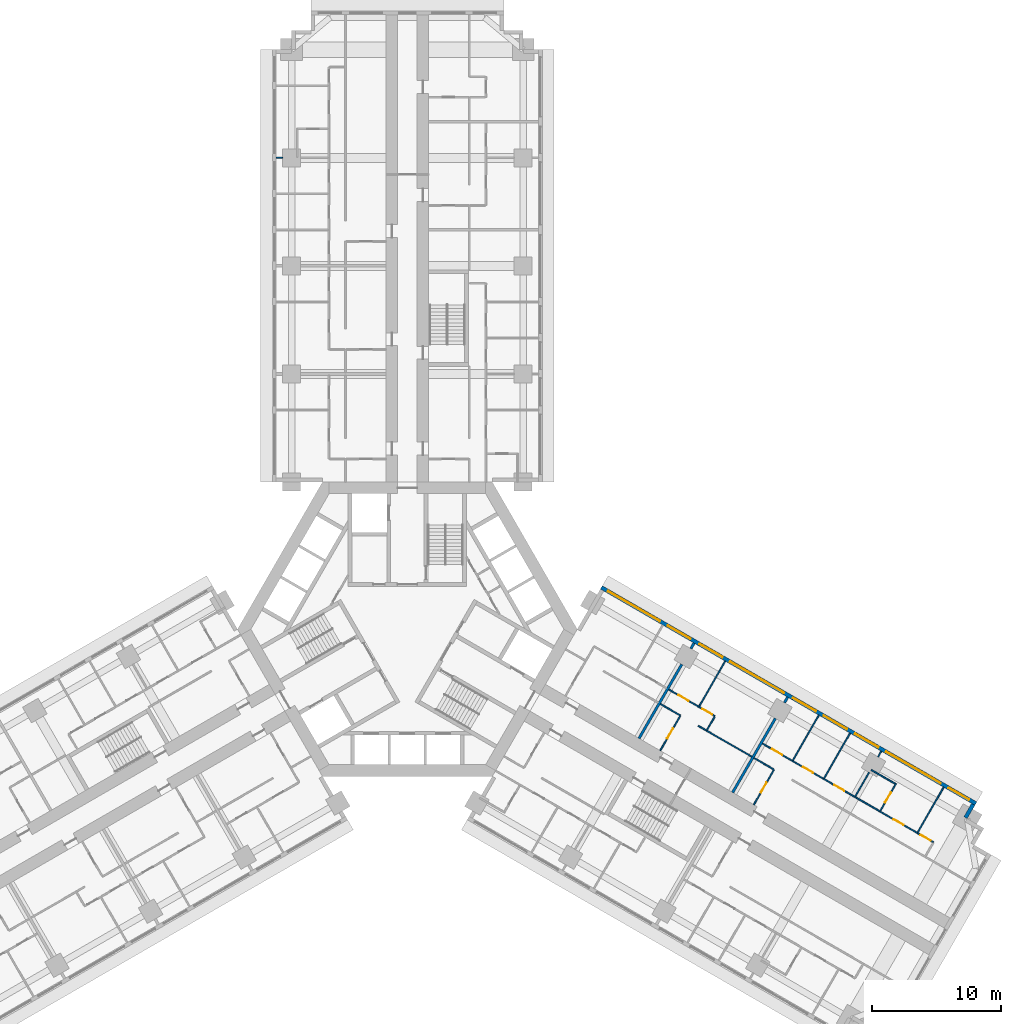
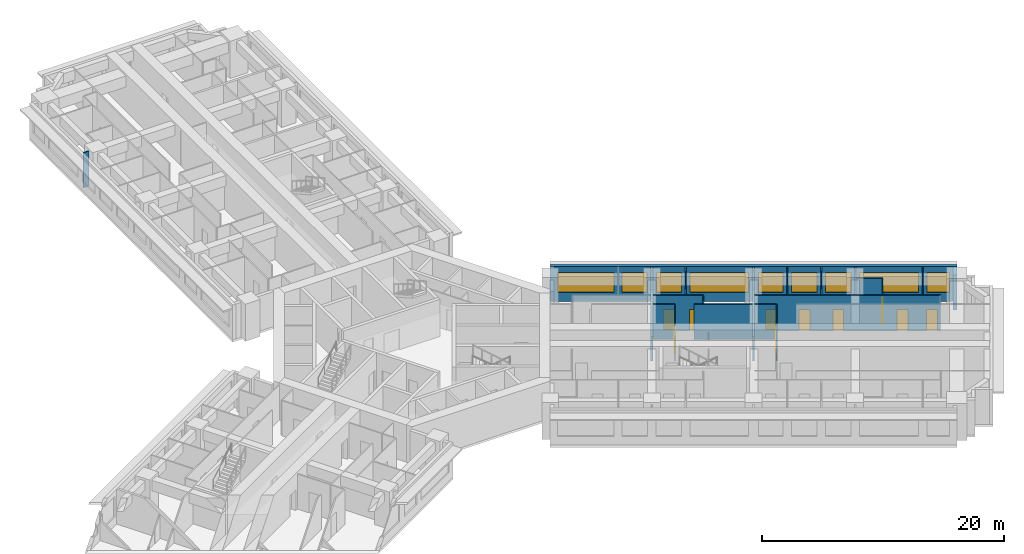
# One storey, part 12 of 15: 23 walls, 10 doors, 9 windows, 19 openings.
"""IFC4 building model written with IfcOpenShell, lengths in metres."""

from ifc_helpers import new_model, si_unit, direction, frame, frame_2d, origin, place, context, subcontext, project, spatial, rectangle, extrude, material, layer, layer_set, type_object, element, fill, save


model = new_model("IFC4")

# Units and contexts
model_context = context("Model", 3, precision=1e-05, world=origin(), true_north=direction((0.0, 1.0)))
body_context = subcontext(model_context, "Body", "Model", "MODEL_VIEW")
ifc_project = project(units=[si_unit("LENGTHUNIT", "METRE"), si_unit("AREAUNIT", "SQUARE_METRE"), si_unit("VOLUMEUNIT", "CUBIC_METRE"), si_unit("PLANEANGLEUNIT", "RADIAN"), si_unit("MASSUNIT", "GRAM", prefix="KILO")], contexts=[model_context])

# Site, building, storey
site_placement = place(None, origin())
site = spatial("IfcSite", under=ifc_project, at=site_placement, CompositionType="ELEMENT")
building_placement = place(site_placement, origin())
building = spatial("IfcBuilding", under=site, at=building_placement, Name="Impinga Residences", CompositionType="ELEMENT")
storey_placement = place(building_placement, frame((0.0, 0.0, 82.25)))
storey = spatial("IfcBuildingStorey", under=building, at=storey_placement, Name="L20", CompositionType="ELEMENT", Elevation=82.25)

# Wall, openings, windows
ifc_material_1 = material(Name="Terracotta rainscreen on blockwork", Category="masonry")
ifc_layer_1 = layer(ifc_material_1, 0.300048828125)
ifc_layer_set_1 = layer_set([ifc_layer_1], Name="EW1 external wall, terracotta rainscreen on blockwork 300")
wall_type_1 = type_object("IfcWallType", Name="EW1 external wall, terracotta rainscreen on blockwork 300", PredefinedType="SOLIDWALL", material=ifc_layer_set_1)
wall_1_placement = place(storey_placement, frame((15.074951171875, 3.24755859375, 0.0), z_axis=(0.0, 0.0, 1.0), x_axis=(0.866024291668, -0.500001926238, 0.0)))
wall_1 = element("IfcWall", 1, at=wall_1_placement, inside=storey, type_object=wall_type_1, Name="External wall EW1 L20", PredefinedType="SOLIDWALL", context=body_context, shape_type="SweptSolid", body=[
    extrude(rectangle(XDim=33.599853515625, YDim=0.300048828125, at=frame_2d((16.7998046875, 0.0))), origin(), (0.0, 0.0, 1.0), 3.530029296875),
])
opening_1_placement = place(wall_1_placement, frame((0.60009765625, 0.0, 0.89990234375)))
opening_1 = element("IfcOpeningElement", 2, at=opening_1_placement, cuts=wall_1, Name="Opening W10", PredefinedType="OPENING", context=body_context, shape_type="SweptSolid", body=[
    extrude(rectangle(XDim=4.64990234375, YDim=2.050048828125, at=frame_2d((2.324951171875, 1.02490234375))), frame((0.0, 0.159912109375, 0.0), z_axis=(0.0, -1.0, 0.0), x_axis=(1.0, 0.0, 0.0)), (0.0, 0.0, 1.0), 0.320068359375),
])
opening_2_placement = place(wall_1_placement, frame((5.949951171875, 0.0, 0.89990234375)))
opening_2 = element("IfcOpeningElement", 3, at=opening_2_placement, cuts=wall_1, Name="Opening W14", PredefinedType="OPENING", context=body_context, shape_type="SweptSolid", body=[
    extrude(rectangle(XDim=2.050048828125, YDim=2.050048828125, at=frame_2d((1.02490234375, 1.02490234375))), frame((0.0, 0.159912109375, 0.0), z_axis=(0.0, -1.0, 0.0), x_axis=(1.0, 0.0, 0.0)), (0.0, 0.0, 1.0), 0.320068359375),
])
opening_3_placement = place(wall_1_placement, frame((8.800048828125, 0.0, 0.89990234375)))
opening_3 = element("IfcOpeningElement", 4, at=opening_3_placement, cuts=wall_1, Name="Opening W14", PredefinedType="OPENING", context=body_context, shape_type="SweptSolid", body=[
    extrude(rectangle(XDim=2.050048828125, YDim=2.050048828125, at=frame_2d((1.02490234375, 1.02490234375))), frame((0.0, 0.159912109375, 0.0), z_axis=(0.0, -1.0, 0.0), x_axis=(1.0, 0.0, 0.0)), (0.0, 0.0, 1.0), 0.320068359375),
])
opening_4_placement = place(wall_1_placement, frame((11.550048828125, 0.0, 0.89990234375)))
opening_4 = element("IfcOpeningElement", 5, at=opening_4_placement, cuts=wall_1, Name="Opening W6", PredefinedType="OPENING", context=body_context, shape_type="SweptSolid", body=[
    extrude(rectangle(XDim=4.85009765625, YDim=2.050048828125, at=frame_2d((2.425048828125, 1.02490234375))), frame((0.0, 0.159912109375, 0.0), z_axis=(0.0, -1.0, 0.0), x_axis=(1.0, 0.0, 0.0)), (0.0, 0.0, 1.0), 0.320068359375),
])
opening_5_placement = place(wall_1_placement, frame((17.199951171875, 0.0, 0.89990234375)))
opening_5 = element("IfcOpeningElement", 6, at=opening_5_placement, cuts=wall_1, Name="Opening W14", PredefinedType="OPENING", context=body_context, shape_type="SweptSolid", body=[
    extrude(rectangle(XDim=2.050048828125, YDim=2.050048828125, at=frame_2d((1.02490234375, 1.02490234375))), frame((0.0, 0.159912109375, 0.0), z_axis=(0.0, -1.0, 0.0), x_axis=(1.0, 0.0, 0.0)), (0.0, 0.0, 1.0), 0.320068359375),
])
opening_6_placement = place(wall_1_placement, frame((19.949951171875, 0.0, 0.89990234375)))
opening_6 = element("IfcOpeningElement", 7, at=opening_6_placement, cuts=wall_1, Name="Opening W9", PredefinedType="OPENING", context=body_context, shape_type="SweptSolid", body=[
    extrude(rectangle(XDim=2.10009765625, YDim=2.050048828125, at=frame_2d((1.050048828125, 1.02490234375))), frame((0.0, 0.159912109375, 0.0), z_axis=(0.0, -1.0, 0.0), x_axis=(1.0, 0.0, 0.0)), (0.0, 0.0, 1.0), 0.320068359375),
])
opening_7_placement = place(wall_1_placement, frame((22.75, 0.0, 0.89990234375)))
opening_7 = element("IfcOpeningElement", 8, at=opening_7_placement, cuts=wall_1, Name="Opening W9", PredefinedType="OPENING", context=body_context, shape_type="SweptSolid", body=[
    extrude(rectangle(XDim=2.10009765625, YDim=2.050048828125, at=frame_2d((1.050048828125, 1.02490234375))), frame((0.0, 0.159912109375, 0.0), z_axis=(0.0, -1.0, 0.0), x_axis=(1.0, 0.0, 0.0)), (0.0, 0.0, 1.0), 0.320068359375),
])
opening_8_placement = place(wall_1_placement, frame((25.550048828125, 0.0, 0.89990234375)))
opening_8 = element("IfcOpeningElement", 9, at=opening_8_placement, cuts=wall_1, Name="Opening W16", PredefinedType="OPENING", context=body_context, shape_type="SweptSolid", body=[
    extrude(rectangle(XDim=4.89990234375, YDim=2.050048828125, at=frame_2d((2.449951171875, 1.02490234375))), frame((0.0, 0.159912109375, 0.0), z_axis=(0.0, -1.0, 0.0), x_axis=(1.0, 0.0, 0.0)), (0.0, 0.0, 1.0), 0.320068359375),
])
opening_9_placement = place(wall_1_placement, frame((31.14990234375, 0.0, 0.89990234375)))
opening_9 = element("IfcOpeningElement", 10, at=opening_9_placement, cuts=wall_1, Name="Opening W15", PredefinedType="OPENING", context=body_context, shape_type="SweptSolid", body=[
    extrude(rectangle(XDim=1.85009765625, YDim=2.050048828125, at=frame_2d((0.925048828125, 1.02490234375))), frame((0.0, 0.159912109375, 0.0), z_axis=(0.0, -1.0, 0.0), x_axis=(1.0, 0.0, 0.0)), (0.0, 0.0, 1.0), 0.320068359375),
])
ifc_material_2 = material(Name="Aluminium window, clear double glazing", Category="aluminium")
window_type_1 = type_object("IfcWindowType", Name="W10 ribbon window 4650x2050", PartitioningType="SINGLE_PANEL", PredefinedType="WINDOW", material=ifc_material_2)
window_1_placement = place(opening_1_placement, origin())
window_1 = element("IfcWindow", 11, at=window_1_placement, inside=storey, type_object=window_type_1, Name="Window L20", OverallHeight=2.050048828125, OverallWidth=4.64990234375, PartitioningType="SINGLE_PANEL", PredefinedType="WINDOW", context=body_context, shape_type="SweptSolid", body=[
    extrude(rectangle(XDim=4.64990234375, YDim=2.050048828125, at=frame_2d((2.324951171875, 1.02490234375))), frame((0.0, 0.030029296875, 0.0), z_axis=(0.0, -1.0, 0.0), x_axis=(1.0, 0.0, 0.0)), (0.0, 0.0, 1.0), 0.06005859375),
])
fill(opening_1, window_1)
window_type_2 = type_object("IfcWindowType", Name="W14 ribbon window 2050x2050", PartitioningType="SINGLE_PANEL", PredefinedType="WINDOW", material=ifc_material_2)
window_2_placement = place(opening_2_placement, origin())
window_2 = element("IfcWindow", 12, at=window_2_placement, inside=storey, type_object=window_type_2, Name="Window L20", OverallHeight=2.050048828125, OverallWidth=2.050048828125, PartitioningType="SINGLE_PANEL", PredefinedType="WINDOW", context=body_context, shape_type="SweptSolid", body=[
    extrude(rectangle(XDim=2.050048828125, YDim=2.050048828125, at=frame_2d((1.02490234375, 1.02490234375))), frame((0.0, 0.030029296875, 0.0), z_axis=(0.0, -1.0, 0.0), x_axis=(1.0, 0.0, 0.0)), (0.0, 0.0, 1.0), 0.06005859375),
])
fill(opening_2, window_2)
window_3_placement = place(opening_3_placement, origin())
window_3 = element("IfcWindow", 13, at=window_3_placement, inside=storey, type_object=window_type_2, Name="Window L20", OverallHeight=2.050048828125, OverallWidth=2.050048828125, PartitioningType="SINGLE_PANEL", PredefinedType="WINDOW", context=body_context, shape_type="SweptSolid", body=[
    extrude(rectangle(XDim=2.050048828125, YDim=2.050048828125, at=frame_2d((1.02490234375, 1.02490234375))), frame((0.0, 0.030029296875, 0.0), z_axis=(0.0, -1.0, 0.0), x_axis=(1.0, 0.0, 0.0)), (0.0, 0.0, 1.0), 0.06005859375),
])
fill(opening_3, window_3)
window_4_placement = place(opening_5_placement, origin())
window_4 = element("IfcWindow", 14, at=window_4_placement, inside=storey, type_object=window_type_2, Name="Window L20", OverallHeight=2.050048828125, OverallWidth=2.050048828125, PartitioningType="SINGLE_PANEL", PredefinedType="WINDOW", context=body_context, shape_type="SweptSolid", body=[
    extrude(rectangle(XDim=2.050048828125, YDim=2.050048828125, at=frame_2d((1.02490234375, 1.02490234375))), frame((0.0, 0.030029296875, 0.0), z_axis=(0.0, -1.0, 0.0), x_axis=(1.0, 0.0, 0.0)), (0.0, 0.0, 1.0), 0.06005859375),
])
fill(opening_5, window_4)
window_type_3 = type_object("IfcWindowType", Name="W15 ribbon window 1850x2050", PartitioningType="SINGLE_PANEL", PredefinedType="WINDOW", material=ifc_material_2)
window_5_placement = place(opening_9_placement, origin())
window_5 = element("IfcWindow", 15, at=window_5_placement, inside=storey, type_object=window_type_3, Name="Window L20", OverallHeight=2.050048828125, OverallWidth=1.85009765625, PartitioningType="SINGLE_PANEL", PredefinedType="WINDOW", context=body_context, shape_type="SweptSolid", body=[
    extrude(rectangle(XDim=1.85009765625, YDim=2.050048828125, at=frame_2d((0.925048828125, 1.02490234375))), frame((0.0, 0.030029296875, 0.0), z_axis=(0.0, -1.0, 0.0), x_axis=(1.0, 0.0, 0.0)), (0.0, 0.0, 1.0), 0.06005859375),
])
fill(opening_9, window_5)
window_type_4 = type_object("IfcWindowType", Name="W16 ribbon window 4900x2050", PartitioningType="SINGLE_PANEL", PredefinedType="WINDOW", material=ifc_material_2)
window_6_placement = place(opening_8_placement, origin())
window_6 = element("IfcWindow", 16, at=window_6_placement, inside=storey, type_object=window_type_4, Name="Window L20", OverallHeight=2.050048828125, OverallWidth=4.89990234375, PartitioningType="SINGLE_PANEL", PredefinedType="WINDOW", context=body_context, shape_type="SweptSolid", body=[
    extrude(rectangle(XDim=4.89990234375, YDim=2.050048828125, at=frame_2d((2.449951171875, 1.02490234375))), frame((0.0, 0.030029296875, 0.0), z_axis=(0.0, -1.0, 0.0), x_axis=(1.0, 0.0, 0.0)), (0.0, 0.0, 1.0), 0.06005859375),
])
fill(opening_8, window_6)
window_type_5 = type_object("IfcWindowType", Name="W6 ribbon window 4850x2050", PartitioningType="SINGLE_PANEL", PredefinedType="WINDOW", material=ifc_material_2)
window_7_placement = place(opening_4_placement, origin())
window_7 = element("IfcWindow", 17, at=window_7_placement, inside=storey, type_object=window_type_5, Name="Window L20", OverallHeight=2.050048828125, OverallWidth=4.85009765625, PartitioningType="SINGLE_PANEL", PredefinedType="WINDOW", context=body_context, shape_type="SweptSolid", body=[
    extrude(rectangle(XDim=4.85009765625, YDim=2.050048828125, at=frame_2d((2.425048828125, 1.02490234375))), frame((0.0, 0.030029296875, 0.0), z_axis=(0.0, -1.0, 0.0), x_axis=(1.0, 0.0, 0.0)), (0.0, 0.0, 1.0), 0.06005859375),
])
fill(opening_4, window_7)
window_type_6 = type_object("IfcWindowType", Name="W9 ribbon window 2100x2050", PartitioningType="SINGLE_PANEL", PredefinedType="WINDOW", material=ifc_material_2)
window_8_placement = place(opening_6_placement, origin())
window_8 = element("IfcWindow", 18, at=window_8_placement, inside=storey, type_object=window_type_6, Name="Window L20", OverallHeight=2.050048828125, OverallWidth=2.10009765625, PartitioningType="SINGLE_PANEL", PredefinedType="WINDOW", context=body_context, shape_type="SweptSolid", body=[
    extrude(rectangle(XDim=2.10009765625, YDim=2.050048828125, at=frame_2d((1.050048828125, 1.02490234375))), frame((0.0, 0.030029296875, 0.0), z_axis=(0.0, -1.0, 0.0), x_axis=(1.0, 0.0, 0.0)), (0.0, 0.0, 1.0), 0.06005859375),
])
fill(opening_6, window_8)
window_9_placement = place(opening_7_placement, origin())
window_9 = element("IfcWindow", 19, at=window_9_placement, inside=storey, type_object=window_type_6, Name="Window L20", OverallHeight=2.050048828125, OverallWidth=2.10009765625, PartitioningType="SINGLE_PANEL", PredefinedType="WINDOW", context=body_context, shape_type="SweptSolid", body=[
    extrude(rectangle(XDim=2.10009765625, YDim=2.050048828125, at=frame_2d((1.050048828125, 1.02490234375))), frame((0.0, 0.030029296875, 0.0), z_axis=(0.0, -1.0, 0.0), x_axis=(1.0, 0.0, 0.0)), (0.0, 0.0, 1.0), 0.06005859375),
])
fill(opening_7, window_9)

# Walls
wall_2_placement = place(storey_placement, frame((43.968505859375, -13.607421875, 0.0), z_axis=(0.0, 0.0, 1.0), x_axis=(-0.500029051137, -0.866008630453, 0.0)))
element("IfcWall", 20, at=wall_2_placement, inside=storey, type_object=wall_type_1, Name="External wall EW1 L20", PredefinedType="SOLIDWALL", context=body_context, shape_type="SweptSolid", body=[
    extrude(rectangle(XDim=1.19482421875, YDim=0.300048828125, at=frame_2d((0.597412109375, 0.0))), origin(), (0.0, 0.0, 1.0), 3.530029296875),
])
ifc_material_3 = material(Name="Gypsum board on steel studs", Category="steel")
ifc_layer_2 = layer(ifc_material_3, 0.10009765625)
ifc_layer_set_2 = layer_set([ifc_layer_2], Name="Gypsum board on steel studs")
wall_type_2 = type_object("IfcWallType", Name="IP1 partition 100", PredefinedType="PARTITIONING", material=ifc_layer_set_2)
wall_3_placement = place(storey_placement, frame((-9.699951171875, 36.631591796875, 0.0), z_axis=(0.0, 0.0, 1.0), x_axis=(-1.0, 0.0, 0.0)))
element("IfcWall", 21, at=wall_3_placement, inside=storey, type_object=wall_type_2, Name="Partition L20-NA3:OB3b", PredefinedType="PARTITIONING", context=body_context, shape_type="SweptSolid", body=[
    extrude(rectangle(XDim=0.5, YDim=0.10009765625, at=frame_2d((0.25, 0.0))), origin(), (0.0, 0.0, 1.0), 3.530029296875),
])
wall_4_placement = place(storey_placement, frame((19.6611328125, -5.808837890625, 0.0), z_axis=(0.0, 0.0, 1.0), x_axis=(0.866047807691, -0.499961193289, 0.0)))
element("IfcWall", 22, at=wall_4_placement, inside=storey, type_object=wall_type_2, Name="Partition L20-EA2:DIV0", PredefinedType="PARTITIONING", context=body_context, shape_type="SweptSolid", body=[
    extrude(rectangle(XDim=1.800048828125, YDim=0.10009765625, at=frame_2d((0.89990234375, 0.0))), origin(), (0.0, 0.0, 1.0), 3.530029296875),
])
wall_5_placement = place(storey_placement, frame((22.605712890625, -7.5087890625, 0.0), z_axis=(0.0, 0.0, 1.0), x_axis=(0.866015339567, -0.500017431331, 0.0)))
element("IfcWall", 23, at=wall_5_placement, inside=storey, type_object=wall_type_2, Name="Partition L20-EA2:DIV1", PredefinedType="PARTITIONING", context=body_context, shape_type="SweptSolid", body=[
    extrude(rectangle(XDim=4.800048828125, YDim=0.10009765625, at=frame_2d((2.39990234375, 0.0))), origin(), (0.0, 0.0, 1.0), 3.530029296875),
])

# Wall, openings, doors
wall_6_placement = place(storey_placement, frame((20.311279296875, -4.68310546875, 0.0), z_axis=(0.0, 0.0, 1.0), x_axis=(0.86602981871, -0.499992353047, 0.0)))
wall_6 = element("IfcWall", 24, at=wall_6_placement, inside=storey, type_object=wall_type_2, Name="Partition L20-EA2:STRIP", PredefinedType="PARTITIONING", context=body_context, shape_type="SweptSolid", body=[
    extrude(rectangle(XDim=4.14990234375, YDim=0.10009765625, at=frame_2d((2.074951171875, 0.0))), origin(), (0.0, 0.0, 1.0), 3.530029296875),
])
opening_10_placement = place(wall_6_placement, frame((0.875, 0.0, 0.0)))
opening_10 = element("IfcOpeningElement", 25, at=opening_10_placement, cuts=wall_6, Name="Opening D2", PredefinedType="OPENING", context=body_context, shape_type="SweptSolid", body=[
    extrude(rectangle(XDim=0.89990234375, YDim=2.10009765625, at=frame_2d((0.449951171875, 1.050048828125))), frame((0.0, 0.06005859375, 0.0), z_axis=(0.0, -1.0, 0.0), x_axis=(1.0, 0.0, 0.0)), (0.0, 0.0, 1.0), 0.1201171875),
])
opening_11_placement = place(wall_6_placement, frame((3.0, 0.0, 0.0)))
opening_11 = element("IfcOpeningElement", 26, at=opening_11_placement, cuts=wall_6, Name="Opening D2", PredefinedType="OPENING", context=body_context, shape_type="SweptSolid", body=[
    extrude(rectangle(XDim=0.89990234375, YDim=2.10009765625, at=frame_2d((0.449951171875, 1.050048828125))), frame((0.0, 0.06005859375, 0.0), z_axis=(0.0, -1.0, 0.0), x_axis=(1.0, 0.0, 0.0)), (0.0, 0.0, 1.0), 0.1201171875),
])
ifc_material_4 = material(Name="Timber door set", Category="wood")
door_type = type_object("IfcDoorType", Name="D2 internal door 900x2100", OperationType="SINGLE_SWING_LEFT", PredefinedType="DOOR", material=ifc_material_4)
door_1_placement = place(opening_10_placement, origin())
door_1 = element("IfcDoor", 27, at=door_1_placement, inside=storey, type_object=door_type, Name="Apartment L20-EA2 room door", OperationType="SINGLE_SWING_LEFT", OverallHeight=2.10009765625, OverallWidth=0.89990234375, PredefinedType="DOOR", context=body_context, shape_type="SweptSolid", body=[
    extrude(rectangle(XDim=0.89990234375, YDim=2.10009765625, at=frame_2d((0.449951171875, 1.050048828125))), frame((0.0, 0.02490234375, 0.0), z_axis=(0.0, -1.0, 0.0), x_axis=(1.0, 0.0, 0.0)), (0.0, 0.0, 1.0), 0.050048828125),
])
fill(opening_10, door_1)
door_2_placement = place(opening_11_placement, origin())
door_2 = element("IfcDoor", 28, at=door_2_placement, inside=storey, type_object=door_type, Name="Apartment L20-EA2 room door", OperationType="SINGLE_SWING_RIGHT", OverallHeight=2.10009765625, OverallWidth=0.89990234375, PredefinedType="DOOR", context=body_context, shape_type="SweptSolid", body=[
    extrude(rectangle(XDim=0.89990234375, YDim=2.10009765625, at=frame_2d((0.449951171875, 1.050048828125))), frame((0.0, 0.02490234375, 0.0), z_axis=(0.0, -1.0, 0.0), x_axis=(1.0, 0.0, 0.0)), (0.0, 0.0, 1.0), 0.050048828125),
])
fill(opening_11, door_2)

# Wall
wall_7_placement = place(storey_placement, frame((23.2802734375, -7.840576171875, 0.0), z_axis=(0.0, 0.0, 1.0), x_axis=(0.499880961361, 0.866094119867, 0.0)))
element("IfcWall", 29, at=wall_7_placement, inside=storey, type_object=wall_type_2, Name="Partition L20-EA2:SE1", PredefinedType="PARTITIONING", context=body_context, shape_type="SweptSolid", body=[
    extrude(rectangle(XDim=1.199951171875, YDim=0.10009765625, at=frame_2d((0.60009765625, 0.0))), origin(), (0.0, 0.0, 1.0), 3.530029296875),
])

# Wall, opening, door
wall_8_placement = place(storey_placement, frame((19.64501953125, -9.436767578125, 0.0), z_axis=(0.0, 0.0, 1.0), x_axis=(0.500026960575, 0.86600983753, 0.0)))
wall_8 = element("IfcWall", 30, at=wall_8_placement, inside=storey, type_object=wall_type_2, Name="Partition L20-EA2:IB1", PredefinedType="PARTITIONING", context=body_context, shape_type="SweptSolid", body=[
    extrude(rectangle(XDim=3.099853515625, YDim=0.10009765625, at=frame_2d((1.5498046875, 0.0))), origin(), (0.0, 0.0, 1.0), 3.530029296875),
])
opening_12_placement = place(wall_8_placement, frame((1.10009765625, 0.0, 0.0)))
opening_12 = element("IfcOpeningElement", 31, at=opening_12_placement, cuts=wall_8, Name="Opening D2", PredefinedType="OPENING", context=body_context, shape_type="SweptSolid", body=[
    extrude(rectangle(XDim=0.89990234375, YDim=2.10009765625, at=frame_2d((0.449951171875, 1.050048828125))), frame((0.0, 0.06005859375, 0.0), z_axis=(0.0, -1.0, 0.0), x_axis=(1.0, 0.0, 0.0)), (0.0, 0.0, 1.0), 0.1201171875),
])
door_3_placement = place(opening_12_placement, origin())
door_3 = element("IfcDoor", 32, at=door_3_placement, inside=storey, type_object=door_type, Name="Apartment L20-EA2 bathroom door", OperationType="SINGLE_SWING_LEFT", OverallHeight=2.10009765625, OverallWidth=0.89990234375, PredefinedType="DOOR", context=body_context, shape_type="SweptSolid", body=[
    extrude(rectangle(XDim=0.89990234375, YDim=2.10009765625, at=frame_2d((0.449951171875, 1.050048828125))), frame((0.0, 0.02490234375, 0.0), z_axis=(0.0, -1.0, 0.0), x_axis=(1.0, 0.0, 0.0)), (0.0, 0.0, 1.0), 0.050048828125),
])
fill(opening_12, door_3)

# Walls
wall_9_placement = place(storey_placement, frame((22.674560546875, -5.98974609375, 0.0), z_axis=(0.0, 0.0, 1.0), x_axis=(0.499990325971, 0.866030989016, 0.0)))
element("IfcWall", 33, at=wall_9_placement, inside=storey, type_object=wall_type_2, Name="Partition L20-EA2:OB1", PredefinedType="PARTITIONING", context=body_context, shape_type="SweptSolid", body=[
    extrude(rectangle(XDim=4.0498046875, YDim=0.10009765625, at=frame_2d((2.02490234375, 0.0))), origin(), (0.0, 0.0, 1.0), 3.530029296875),
])
wall_10_placement = place(storey_placement, frame((26.935791015625, -10.0087890625, 0.0), z_axis=(0.0, 0.0, 1.0), x_axis=(0.865989075817, -0.500062916607, 0.0)))
element("IfcWall", 34, at=wall_10_placement, inside=storey, type_object=wall_type_2, Name="Partition L20-EA3:DIV0", PredefinedType="PARTITIONING", context=body_context, shape_type="SweptSolid", body=[
    extrude(rectangle(XDim=1.800048828125, YDim=0.10009765625, at=frame_2d((0.89990234375, 0.0))), origin(), (0.0, 0.0, 1.0), 3.530029296875),
])

# Wall, openings, doors
wall_11_placement = place(storey_placement, frame((27.5859375, -8.883056640625, 0.0), z_axis=(0.0, 0.0, 1.0), x_axis=(0.866023490266, -0.500003314297, 0.0)))
wall_11 = element("IfcWall", 35, at=wall_11_placement, inside=storey, type_object=wall_type_2, Name="Partition L20-EA3:STRIP", PredefinedType="PARTITIONING", context=body_context, shape_type="SweptSolid", body=[
    extrude(rectangle(XDim=15.35009765625, YDim=0.10009765625, at=frame_2d((7.675048828125, 0.0))), origin(), (0.0, 0.0, 1.0), 3.530029296875),
])
opening_13_placement = place(wall_11_placement, frame((0.875, 0.0, 0.0)))
opening_13 = element("IfcOpeningElement", 36, at=opening_13_placement, cuts=wall_11, Name="Opening D2", PredefinedType="OPENING", context=body_context, shape_type="SweptSolid", body=[
    extrude(rectangle(XDim=0.89990234375, YDim=2.10009765625, at=frame_2d((0.449951171875, 1.050048828125))), frame((0.0, 0.06005859375, 0.0), z_axis=(0.0, -1.0, 0.0), x_axis=(1.0, 0.0, 0.0)), (0.0, 0.0, 1.0), 0.1201171875),
])
opening_14_placement = place(wall_11_placement, frame((3.64990234375, 0.0, 0.0)))
opening_14 = element("IfcOpeningElement", 37, at=opening_14_placement, cuts=wall_11, Name="Opening D2", PredefinedType="OPENING", context=body_context, shape_type="SweptSolid", body=[
    extrude(rectangle(XDim=0.89990234375, YDim=2.10009765625, at=frame_2d((0.449951171875, 1.050048828125))), frame((0.0, 0.06005859375, 0.0), z_axis=(0.0, -1.0, 0.0), x_axis=(1.0, 0.0, 0.0)), (0.0, 0.0, 1.0), 0.1201171875),
])
opening_15_placement = place(wall_11_placement, frame((6.449951171875, 0.0, 0.0)))
opening_15 = element("IfcOpeningElement", 38, at=opening_15_placement, cuts=wall_11, Name="Opening D2", PredefinedType="OPENING", context=body_context, shape_type="SweptSolid", body=[
    extrude(rectangle(XDim=0.89990234375, YDim=2.10009765625, at=frame_2d((0.449951171875, 1.050048828125))), frame((0.0, 0.06005859375, 0.0), z_axis=(0.0, -1.0, 0.0), x_axis=(1.0, 0.0, 0.0)), (0.0, 0.0, 1.0), 0.1201171875),
])
opening_16_placement = place(wall_11_placement, frame((11.77490234375, 0.0, 0.0)))
opening_16 = element("IfcOpeningElement", 39, at=opening_16_placement, cuts=wall_11, Name="Opening D2", PredefinedType="OPENING", context=body_context, shape_type="SweptSolid", body=[
    extrude(rectangle(XDim=0.89990234375, YDim=2.10009765625, at=frame_2d((0.449951171875, 1.050048828125))), frame((0.0, 0.06005859375, 0.0), z_axis=(0.0, -1.0, 0.0), x_axis=(1.0, 0.0, 0.0)), (0.0, 0.0, 1.0), 0.1201171875),
])
opening_17_placement = place(wall_11_placement, frame((14.199951171875, 0.0, 0.0)))
opening_17 = element("IfcOpeningElement", 40, at=opening_17_placement, cuts=wall_11, Name="Opening D2", PredefinedType="OPENING", context=body_context, shape_type="SweptSolid", body=[
    extrude(rectangle(XDim=0.89990234375, YDim=2.10009765625, at=frame_2d((0.449951171875, 1.050048828125))), frame((0.0, 0.06005859375, 0.0), z_axis=(0.0, -1.0, 0.0), x_axis=(1.0, 0.0, 0.0)), (0.0, 0.0, 1.0), 0.1201171875),
])
door_4_placement = place(opening_13_placement, origin())
door_4 = element("IfcDoor", 41, at=door_4_placement, inside=storey, type_object=door_type, Name="Apartment L20-EA3 room door", OperationType="SINGLE_SWING_LEFT", OverallHeight=2.10009765625, OverallWidth=0.89990234375, PredefinedType="DOOR", context=body_context, shape_type="SweptSolid", body=[
    extrude(rectangle(XDim=0.89990234375, YDim=2.10009765625, at=frame_2d((0.449951171875, 1.050048828125))), frame((0.0, 0.02490234375, 0.0), z_axis=(0.0, -1.0, 0.0), x_axis=(1.0, 0.0, 0.0)), (0.0, 0.0, 1.0), 0.050048828125),
])
fill(opening_13, door_4)
door_5_placement = place(opening_14_placement, origin())
door_5 = element("IfcDoor", 42, at=door_5_placement, inside=storey, type_object=door_type, Name="Apartment L20-EA3 room door", OperationType="SINGLE_SWING_LEFT", OverallHeight=2.10009765625, OverallWidth=0.89990234375, PredefinedType="DOOR", context=body_context, shape_type="SweptSolid", body=[
    extrude(rectangle(XDim=0.89990234375, YDim=2.10009765625, at=frame_2d((0.449951171875, 1.050048828125))), frame((0.0, 0.02490234375, 0.0), z_axis=(0.0, -1.0, 0.0), x_axis=(1.0, 0.0, 0.0)), (0.0, 0.0, 1.0), 0.050048828125),
])
fill(opening_14, door_5)
door_6_placement = place(opening_15_placement, origin())
door_6 = element("IfcDoor", 43, at=door_6_placement, inside=storey, type_object=door_type, Name="Apartment L20-EA3 room door", OperationType="SINGLE_SWING_LEFT", OverallHeight=2.10009765625, OverallWidth=0.89990234375, PredefinedType="DOOR", context=body_context, shape_type="SweptSolid", body=[
    extrude(rectangle(XDim=0.89990234375, YDim=2.10009765625, at=frame_2d((0.449951171875, 1.050048828125))), frame((0.0, 0.02490234375, 0.0), z_axis=(0.0, -1.0, 0.0), x_axis=(1.0, 0.0, 0.0)), (0.0, 0.0, 1.0), 0.050048828125),
])
fill(opening_15, door_6)
door_7_placement = place(opening_16_placement, origin())
door_7 = element("IfcDoor", 44, at=door_7_placement, inside=storey, type_object=door_type, Name="Apartment L20-EA3 room door", OperationType="SINGLE_SWING_RIGHT", OverallHeight=2.10009765625, OverallWidth=0.89990234375, PredefinedType="DOOR", context=body_context, shape_type="SweptSolid", body=[
    extrude(rectangle(XDim=0.89990234375, YDim=2.10009765625, at=frame_2d((0.449951171875, 1.050048828125))), frame((0.0, 0.02490234375, 0.0), z_axis=(0.0, -1.0, 0.0), x_axis=(1.0, 0.0, 0.0)), (0.0, 0.0, 1.0), 0.050048828125),
])
fill(opening_16, door_7)
door_8_placement = place(opening_17_placement, origin())
door_8 = element("IfcDoor", 45, at=door_8_placement, inside=storey, type_object=door_type, Name="Apartment L20-EA3 room door", OperationType="SINGLE_SWING_RIGHT", OverallHeight=2.10009765625, OverallWidth=0.89990234375, PredefinedType="DOOR", context=body_context, shape_type="SweptSolid", body=[
    extrude(rectangle(XDim=0.89990234375, YDim=2.10009765625, at=frame_2d((0.449951171875, 1.050048828125))), frame((0.0, 0.02490234375, 0.0), z_axis=(0.0, -1.0, 0.0), x_axis=(1.0, 0.0, 0.0)), (0.0, 0.0, 1.0), 0.050048828125),
])
fill(opening_17, door_8)

# Wall, opening, door
wall_12_placement = place(storey_placement, frame((26.919677734375, -13.63671875, 0.0), z_axis=(0.0, 0.0, 1.0), x_axis=(0.500026960575, 0.86600983753, 0.0)))
wall_12 = element("IfcWall", 46, at=wall_12_placement, inside=storey, type_object=wall_type_2, Name="Partition L20-EA3:IB1", PredefinedType="PARTITIONING", context=body_context, shape_type="SweptSolid", body=[
    extrude(rectangle(XDim=3.099853515625, YDim=0.10009765625, at=frame_2d((1.5498046875, 0.0))), origin(), (0.0, 0.0, 1.0), 3.530029296875),
])
opening_18_placement = place(wall_12_placement, frame((1.10009765625, 0.0, 0.0)))
opening_18 = element("IfcOpeningElement", 47, at=opening_18_placement, cuts=wall_12, Name="Opening D2", PredefinedType="OPENING", context=body_context, shape_type="SweptSolid", body=[
    extrude(rectangle(XDim=0.89990234375, YDim=2.10009765625, at=frame_2d((0.449951171875, 1.050048828125))), frame((0.0, 0.06005859375, 0.0), z_axis=(0.0, -1.0, 0.0), x_axis=(1.0, 0.0, 0.0)), (0.0, 0.0, 1.0), 0.1201171875),
])
door_9_placement = place(opening_18_placement, origin())
door_9 = element("IfcDoor", 48, at=door_9_placement, inside=storey, type_object=door_type, Name="Apartment L20-EA3 bathroom door", OperationType="SINGLE_SWING_LEFT", OverallHeight=2.10009765625, OverallWidth=0.89990234375, PredefinedType="DOOR", context=body_context, shape_type="SweptSolid", body=[
    extrude(rectangle(XDim=0.89990234375, YDim=2.10009765625, at=frame_2d((0.449951171875, 1.050048828125))), frame((0.0, 0.02490234375, 0.0), z_axis=(0.0, -1.0, 0.0), x_axis=(1.0, 0.0, 0.0)), (0.0, 0.0, 1.0), 0.050048828125),
])
fill(opening_18, door_9)

# Walls
for number, where, z_axis, x_axis, name in (
    (49, (29.94921875, -10.189697265625, 0.0), (0.0, 0.0, 1.0), (0.499990325971, 0.866030989016, 0.0), "Partition L20-EA3:OB1"),
    (50, (32.3740234375, -11.589599609375, 0.0), (0.0, 0.0, 1.0), (0.499990325971, 0.866030989016, 0.0), "Partition L20-EA3:OB2"),
):
    element("IfcWall", number, at=place(storey_placement, frame(where, z_axis=z_axis, x_axis=x_axis)), inside=storey, type_object=wall_type_2, Name=name, PredefinedType="PARTITIONING", context=body_context, shape_type="SweptSolid", body=[
        extrude(rectangle(XDim=4.0498046875, YDim=0.10009765625, at=frame_2d((2.02490234375, 0.0))), origin(), (0.0, 0.0, 1.0), 3.530029296875),
    ])
wall_13_placement = place(storey_placement, frame((34.798828125, -12.98974609375, 0.0), z_axis=(0.0, 0.0, 1.0), x_axis=(0.499961633463, 0.866047553582, 0.0)))
element("IfcWall", 51, at=wall_13_placement, inside=storey, type_object=wall_type_2, Name="Partition L20-EA3:OB3", PredefinedType="PARTITIONING", context=body_context, shape_type="SweptSolid", body=[
    extrude(rectangle(XDim=2.150146484375, YDim=0.10009765625, at=frame_2d((1.0751953125, 0.0))), origin(), (0.0, 0.0, 1.0), 2.47998046875),
])
wall_14_placement = place(storey_placement, frame((36.57373046875, -9.915283203125, 0.0), z_axis=(0.0, 0.0, 1.0), x_axis=(0.500131122175, 0.865949687125, 0.0)))
element("IfcWall", 52, at=wall_14_placement, inside=storey, type_object=wall_type_2, Name="Partition L20-EA3:OB3b", PredefinedType="PARTITIONING", context=body_context, shape_type="SweptSolid", body=[
    extrude(rectangle(XDim=0.499755859375, YDim=0.10009765625, at=frame_2d((0.25, 0.0))), origin(), (0.0, 0.0, 1.0), 3.530029296875),
])
wall_15_placement = place(storey_placement, frame((39.648681640625, -15.789794921875, 0.0), z_axis=(0.0, 0.0, 1.0), x_axis=(0.499964223975, 0.866046058097, 0.0)))
element("IfcWall", 53, at=wall_15_placement, inside=storey, type_object=wall_type_2, Name="Partition L20-EA3:OB4", PredefinedType="PARTITIONING", context=body_context, shape_type="SweptSolid", body=[
    extrude(rectangle(XDim=4.050048828125, YDim=0.10009765625, at=frame_2d((2.02490234375, 0.0))), origin(), (0.0, 0.0, 1.0), 3.530029296875),
])

# Wall, opening, door
wall_16_placement = place(storey_placement, frame((36.747314453125, -14.11474609375, 0.0), z_axis=(0.0, 0.0, 1.0), x_axis=(0.500018594424, 0.866014668023, 0.0)))
wall_16 = element("IfcWall", 54, at=wall_16_placement, inside=storey, type_object=wall_type_2, Name="Partition L20-EA3:EN1", PredefinedType="PARTITIONING", context=body_context, shape_type="SweptSolid", body=[
    extrude(rectangle(XDim=2.4501953125, YDim=0.10009765625, at=frame_2d((1.22509765625, 0.0))), origin(), (0.0, 0.0, 1.0), 3.530029296875),
])
opening_19_placement = place(wall_16_placement, frame((0.75, 0.0, 0.0)))
opening_19 = element("IfcOpeningElement", 55, at=opening_19_placement, cuts=wall_16, Name="Opening D2", PredefinedType="OPENING", context=body_context, shape_type="SweptSolid", body=[
    extrude(rectangle(XDim=0.89990234375, YDim=2.10009765625, at=frame_2d((0.449951171875, 1.050048828125))), frame((0.0, 0.06005859375, 0.0), z_axis=(0.0, -1.0, 0.0), x_axis=(1.0, 0.0, 0.0)), (0.0, 0.0, 1.0), 0.1201171875),
])
door_10_placement = place(opening_19_placement, origin())
door_10 = element("IfcDoor", 56, at=door_10_placement, inside=storey, type_object=door_type, Name="Apartment L20-EA3 en-suite door", OperationType="SINGLE_SWING_LEFT", OverallHeight=2.10009765625, OverallWidth=0.89990234375, PredefinedType="DOOR", context=body_context, shape_type="SweptSolid", body=[
    extrude(rectangle(XDim=0.89990234375, YDim=2.10009765625, at=frame_2d((0.449951171875, 1.050048828125))), frame((0.0, 0.02490234375, 0.0), z_axis=(0.0, -1.0, 0.0), x_axis=(1.0, 0.0, 0.0)), (0.0, 0.0, 1.0), 0.050048828125),
])
fill(opening_19, door_10)

# Walls
wall_17_placement = place(storey_placement, frame((36.042236328125, -10.936279296875, 0.0), z_axis=(0.0, 0.0, 1.0), x_axis=(0.866019166195, -0.500010803666, 0.0)))
element("IfcWall", 57, at=wall_17_placement, inside=storey, type_object=wall_type_2, Name="Partition L20-EA3:EN2", PredefinedType="PARTITIONING", context=body_context, shape_type="SweptSolid", body=[
    extrude(rectangle(XDim=2.14990234375, YDim=0.10009765625, at=frame_2d((1.074951171875, 0.0))), origin(), (0.0, 0.0, 1.0), 3.530029296875),
])
ifc_material_5 = material(Name="Concrete blockwork", Category="masonry")
ifc_layer_3 = layer(ifc_material_5, 0.199951171875)
ifc_layer_set_3 = layer_set([ifc_layer_3], Name="PW1 party wall between apartments 200")
wall_type_3 = type_object("IfcWallType", Name="PW1 party wall between apartments 200", PredefinedType="SOLIDWALL", material=ifc_layer_set_3)
wall_18_placement = place(storey_placement, frame((17.99951171875, -8.48681640625, 0.0), z_axis=(0.0, 0.0, 1.0), x_axis=(0.500024353964, 0.86601134256, 0.0)))
element("IfcWall", 58, at=wall_18_placement, inside=storey, type_object=wall_type_3, Name="Party wall between apartments L20-EA1:PARTY", PredefinedType="SOLIDWALL", context=body_context, shape_type="SweptSolid", body=[
    extrude(rectangle(XDim=6.650146484375, YDim=0.199951171875, at=frame_2d((3.3251953125, 0.0))), origin(), (0.0, 0.0, 1.0), 2.47998046875),
])
wall_19_placement = place(storey_placement, frame((22.024658203125, -1.515380859375, 0.0), z_axis=(0.0, 0.0, 1.0), x_axis=(0.499919672301, 0.866071776036, 0.0)))
element("IfcWall", 59, at=wall_19_placement, inside=storey, type_object=wall_type_3, Name="Party wall between apartments L20-EA1:PARTYb", PredefinedType="SOLIDWALL", context=body_context, shape_type="SweptSolid", body=[
    extrude(rectangle(XDim=0.5, YDim=0.199951171875, at=frame_2d((0.25, 0.0))), origin(), (0.0, 0.0, 1.0), 3.530029296875),
])
wall_20_placement = place(storey_placement, frame((25.274169921875, -12.686767578125, 0.0), z_axis=(0.0, 0.0, 1.0), x_axis=(0.49999681972, 0.866027239912, 0.0)))
element("IfcWall", 60, at=wall_20_placement, inside=storey, type_object=wall_type_3, Name="Party wall between apartments L20-EA2:PARTY", PredefinedType="SOLIDWALL", context=body_context, shape_type="SweptSolid", body=[
    extrude(rectangle(XDim=6.64990234375, YDim=0.199951171875, at=frame_2d((3.324951171875, 0.0))), origin(), (0.0, 0.0, 1.0), 2.47998046875),
])
wall_21_placement = place(storey_placement, frame((29.29931640625, -5.71533203125, 0.0), z_axis=(0.0, 0.0, 1.0), x_axis=(0.499919672301, 0.866071776036, 0.0)))
element("IfcWall", 61, at=wall_21_placement, inside=storey, type_object=wall_type_3, Name="Party wall between apartments L20-EA2:PARTYb", PredefinedType="SOLIDWALL", context=body_context, shape_type="SweptSolid", body=[
    extrude(rectangle(XDim=0.5, YDim=0.199951171875, at=frame_2d((0.25, 0.0))), origin(), (0.0, 0.0, 1.0), 3.530029296875),
])

save(model, "model.ifc")
